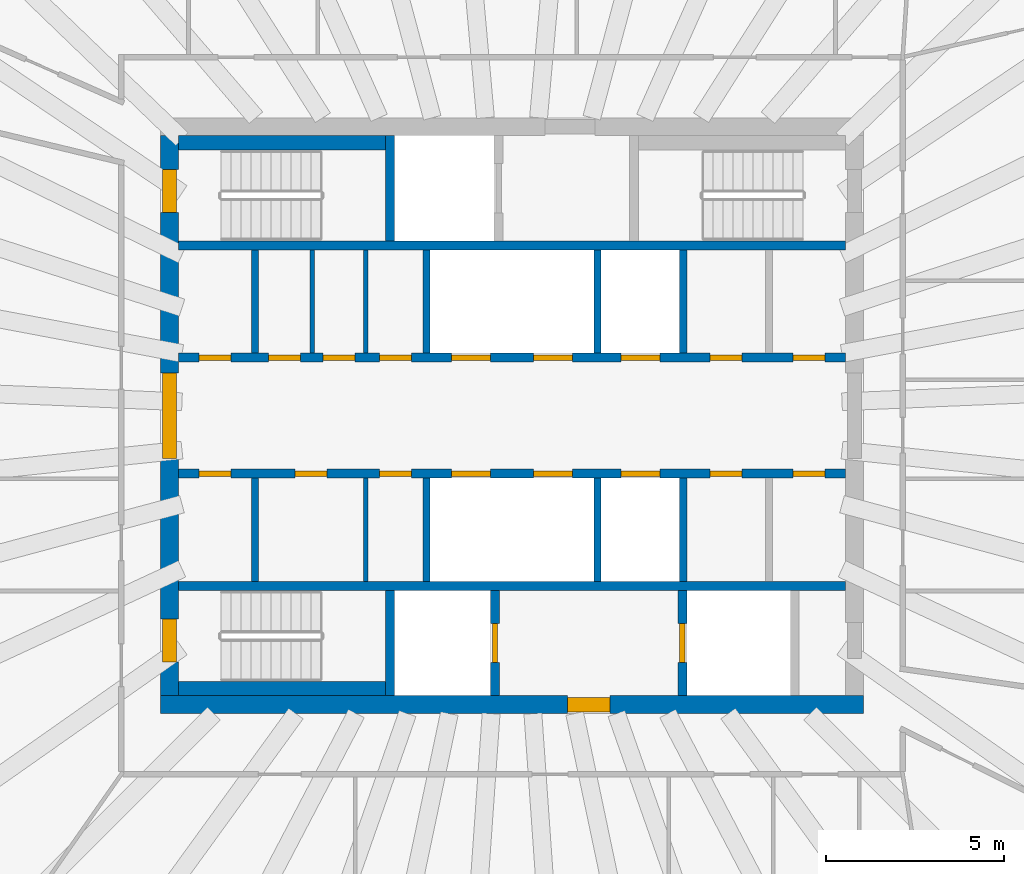
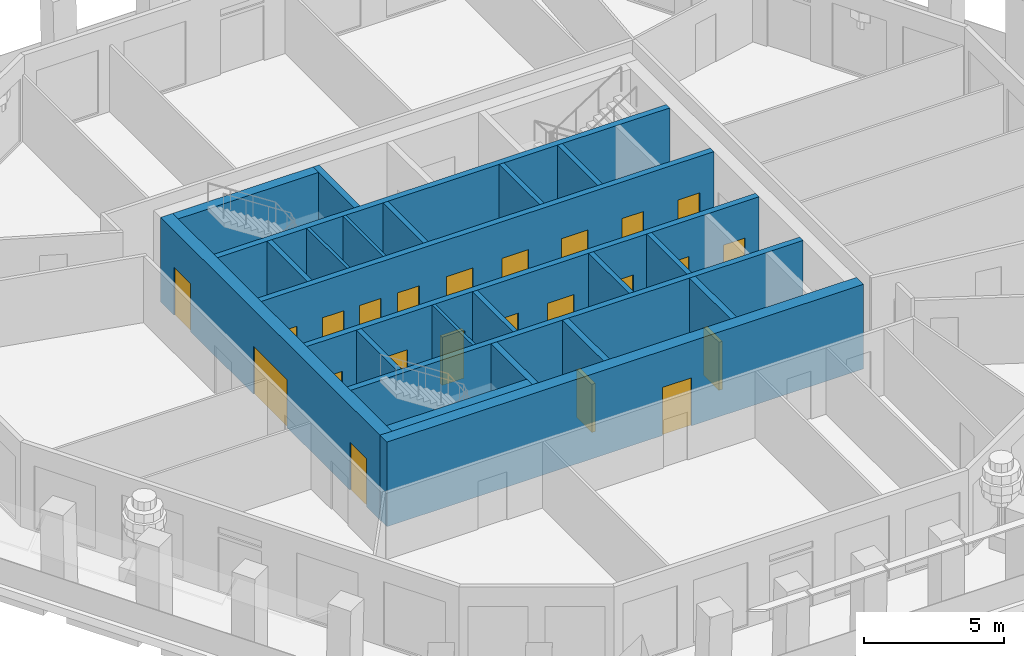
# One storey, part 4 of 11: 23 doors, 23 walls, 23 openings.
"""IFC4 building model written with IfcOpenShell, lengths in metres."""

from ifc_helpers import new_model, si_unit, direction, frame, frame_2d, origin, place, context, subcontext, project, spatial, rectangle, extrude, material, layer, layer_set, type_object, element, fill, save


model = new_model("IFC4")

# Units and contexts
model_context = context("Model", 3, precision=1e-05, world=origin(), true_north=direction((0.0, 1.0)))
body_context = subcontext(model_context, "Body", "Model", "MODEL_VIEW")
ifc_project = project(units=[si_unit("LENGTHUNIT", "METRE"), si_unit("AREAUNIT", "SQUARE_METRE"), si_unit("VOLUMEUNIT", "CUBIC_METRE"), si_unit("PLANEANGLEUNIT", "RADIAN"), si_unit("MASSUNIT", "GRAM", prefix="KILO")], contexts=[model_context])

# Site, building, storey
site_placement = place(None, origin())
site = spatial("IfcSite", under=ifc_project, at=site_placement, CompositionType="ELEMENT")
building_placement = place(site_placement, origin())
building = spatial("IfcBuilding", under=site, at=building_placement, Name="Frailejon Research Tower", CompositionType="ELEMENT")
storey_placement = place(building_placement, frame((0.0, 0.0, 295.0)))
storey = spatial("IfcBuildingStorey", under=building, at=storey_placement, Name="L65", CompositionType="ELEMENT", Elevation=295.0)

# Walls
ifc_material_1 = material(Name="Plasterboard on steel studs", Category="steel")
ifc_layer_1 = layer(ifc_material_1, 0.125)
ifc_layer_set_1 = layer_set([ifc_layer_1], Name="Core partition 125")
wall_type_1 = type_object("IfcWallType", Name="Core partition 125", PredefinedType="PARTITIONING", material=ifc_layer_set_1)
for number, where, z_axis, x_axis, name in (
    (1, (-5.60009765625, 1.75, 0.0), (0.0, 0.0, 1.0), (0.0, 1.0, 0.0), "Core partition"),
    (2, (-4.10009765625, 1.75, 0.0), (0.0, 0.0, 1.0), (0.0, 1.0, 0.0), "Core partition"),
    (3, (-4.10009765625, -4.64990234375, 0.0), (0.0, 0.0, 1.0), (0.0, 1.0, 0.0), "Core partition"),
):
    element("IfcWall", number, at=place(storey_placement, frame(where, z_axis=z_axis, x_axis=x_axis)), inside=storey, type_object=wall_type_1, Name=name, PredefinedType="PARTITIONING", context=body_context, shape_type="SweptSolid", body=[
        extrude(rectangle(XDim=2.89990234375, YDim=0.125, at=frame_2d((1.449951171875, 0.0))), origin(), (0.0, 0.0, 1.0), 3.699951171875),
    ])

# Wall, opening, door
ifc_material_2 = material(Name="Concrete C50/60", Category="concrete")
ifc_layer_2 = layer(ifc_material_2, 0.5)
ifc_layer_set_2 = layer_set([ifc_layer_2], Name="Core shear wall 500 C50/60")
wall_type_2 = type_object("IfcWallType", Name="Core shear wall 500 C50/60", PredefinedType="SHEAR", material=ifc_layer_set_2)
wall_1_placement = place(storey_placement, frame((-9.85009765625, -8.10009765625, 0.0), z_axis=(0.0, 0.0, 1.0), x_axis=(1.0, 0.0, 0.0)))
wall_1 = element("IfcWall", 4, at=wall_1_placement, inside=storey, type_object=wall_type_2, Name="Core shear wall", PredefinedType="SHEAR", context=body_context, shape_type="SweptSolid", body=[
    extrude(rectangle(XDim=19.7001953125, YDim=0.5, at=frame_2d((9.85009765625, 0.0))), origin(), (0.0, 0.0, 1.0), 3.699951171875),
])
opening_1_placement = place(wall_1_placement, frame((11.39990234375, 0.0, 0.0)))
opening_1 = element("IfcOpeningElement", 5, at=opening_1_placement, cuts=wall_1, Name="Opening D3", PredefinedType="OPENING", context=body_context, shape_type="SweptSolid", body=[
    extrude(rectangle(XDim=1.199951171875, YDim=2.10009765625, at=frame_2d((0.60009765625, 1.050048828125))), frame((0.0, 0.260009765625, 0.0), z_axis=(0.0, -1.0, 0.0), x_axis=(1.0, 0.0, 0.0)), (0.0, 0.0, 1.0), 0.52001953125),
])
ifc_material_3 = material(Name="Steel", Category="steel")
door_type_1 = type_object("IfcDoorType", Name="Firefighting lobby door", OperationType="SINGLE_SWING_LEFT", PredefinedType="DOOR", material=ifc_material_3)
door_1_placement = place(opening_1_placement, origin())
door_1 = element("IfcDoor", 6, at=door_1_placement, inside=storey, type_object=door_type_1, Name="Firefighting lobby door", OperationType="SINGLE_SWING_LEFT", OverallHeight=2.10009765625, OverallWidth=1.199951171875, PredefinedType="DOOR", context=body_context, shape_type="SweptSolid", body=[
    extrude(rectangle(XDim=1.199951171875, YDim=2.10009765625, at=frame_2d((0.60009765625, 1.050048828125))), frame((0.0, 0.199951171875, 0.0), z_axis=(0.0, -1.0, 0.0), x_axis=(1.0, 0.0, 0.0)), (0.0, 0.0, 1.0), 0.39990234375),
])
fill(opening_1, door_1)

# Wall, openings, doors
wall_2_placement = place(storey_placement, frame((-9.60009765625, -7.85009765625, 0.0), z_axis=(0.0, 0.0, 1.0), x_axis=(0.0, 1.0, 0.0)))
wall_2 = element("IfcWall", 7, at=wall_2_placement, inside=storey, type_object=wall_type_2, Name="Core shear wall", PredefinedType="SHEAR", context=body_context, shape_type="SweptSolid", body=[
    extrude(rectangle(XDim=15.7001953125, YDim=0.5, at=frame_2d((7.85009765625, 0.0))), origin(), (0.0, 0.0, 1.0), 3.699951171875),
])
opening_2_placement = place(wall_2_placement, frame((6.64990234375, 0.0, 0.0)))
opening_2 = element("IfcOpeningElement", 8, at=opening_2_placement, cuts=wall_2, Name="Opening D2", PredefinedType="OPENING", context=body_context, shape_type="SweptSolid", body=[
    extrude(rectangle(XDim=2.39990234375, YDim=2.10009765625, at=frame_2d((1.199951171875, 1.050048828125))), frame((0.0, 0.260009765625, 0.0), z_axis=(0.0, -1.0, 0.0), x_axis=(1.0, 0.0, 0.0)), (0.0, 0.0, 1.0), 0.52001953125),
])
opening_3_placement = place(wall_2_placement, frame((13.550048828125, 0.0, 0.0)))
opening_3 = element("IfcOpeningElement", 9, at=opening_3_placement, cuts=wall_2, Name="Opening D1", PredefinedType="OPENING", context=body_context, shape_type="SweptSolid", body=[
    extrude(rectangle(XDim=1.199951171875, YDim=2.10009765625, at=frame_2d((0.60009765625, 1.050048828125))), frame((0.0, 0.260009765625, 0.0), z_axis=(0.0, -1.0, 0.0), x_axis=(1.0, 0.0, 0.0)), (0.0, 0.0, 1.0), 0.52001953125),
])
opening_4_placement = place(wall_2_placement, frame((0.949951171875, 0.0, 0.0)))
opening_4 = element("IfcOpeningElement", 10, at=opening_4_placement, cuts=wall_2, Name="Opening D1", PredefinedType="OPENING", context=body_context, shape_type="SweptSolid", body=[
    extrude(rectangle(XDim=1.199951171875, YDim=2.10009765625, at=frame_2d((0.60009765625, 1.050048828125))), frame((0.0, 0.260009765625, 0.0), z_axis=(0.0, -1.0, 0.0), x_axis=(1.0, 0.0, 0.0)), (0.0, 0.0, 1.0), 0.52001953125),
])
ifc_material_4 = material(Name="Steel", Category="steel")
door_type_2 = type_object("IfcDoorType", Name="Lobby double door", OperationType="DOUBLE_DOOR_SINGLE_SWING", PredefinedType="DOOR", material=ifc_material_4)
door_2_placement = place(opening_2_placement, origin())
door_2 = element("IfcDoor", 11, at=door_2_placement, inside=storey, type_object=door_type_2, Name="Lobby door", OperationType="DOUBLE_DOOR_SINGLE_SWING", OverallHeight=2.10009765625, OverallWidth=2.39990234375, PredefinedType="DOOR", context=body_context, shape_type="SweptSolid", body=[
    extrude(rectangle(XDim=2.39990234375, YDim=2.10009765625, at=frame_2d((1.199951171875, 1.050048828125))), frame((0.0, 0.199951171875, 0.0), z_axis=(0.0, -1.0, 0.0), x_axis=(1.0, 0.0, 0.0)), (0.0, 0.0, 1.0), 0.39990234375),
])
fill(opening_2, door_2)
ifc_material_5 = material(Name="Steel", Category="steel")
door_type_3 = type_object("IfcDoorType", Name="Stair door", OperationType="SINGLE_SWING_LEFT", PredefinedType="DOOR", material=ifc_material_5)
door_3_placement = place(opening_3_placement, origin())
door_3 = element("IfcDoor", 12, at=door_3_placement, inside=storey, type_object=door_type_3, Name="Stair door ST1", OperationType="SINGLE_SWING_RIGHT", OverallHeight=2.10009765625, OverallWidth=1.199951171875, PredefinedType="DOOR", context=body_context, shape_type="SweptSolid", body=[
    extrude(rectangle(XDim=1.199951171875, YDim=2.10009765625, at=frame_2d((0.60009765625, 1.050048828125))), frame((0.0, 0.199951171875, 0.0), z_axis=(0.0, -1.0, 0.0), x_axis=(1.0, 0.0, 0.0)), (0.0, 0.0, 1.0), 0.39990234375),
])
fill(opening_3, door_3)
door_4_placement = place(opening_4_placement, origin())
door_4 = element("IfcDoor", 13, at=door_4_placement, inside=storey, type_object=door_type_3, Name="Stair door ST2", OperationType="SINGLE_SWING_LEFT", OverallHeight=2.10009765625, OverallWidth=1.199951171875, PredefinedType="DOOR", context=body_context, shape_type="SweptSolid", body=[
    extrude(rectangle(XDim=1.199951171875, YDim=2.10009765625, at=frame_2d((0.60009765625, 1.050048828125))), frame((0.0, 0.199951171875, 0.0), z_axis=(0.0, -1.0, 0.0), x_axis=(1.0, 0.0, 0.0)), (0.0, 0.0, 1.0), 0.39990234375),
])
fill(opening_4, door_4)

# Walls
ifc_material_6 = material(Name="Concrete C50/60", Category="concrete")
ifc_layer_3 = layer(ifc_material_6, 0.199951171875)
ifc_layer_set_3 = layer_set([ifc_layer_3], Name="Shaft wall 200 C50/60")
wall_type_3 = type_object("IfcWallType", Name="Shaft wall 200 C50/60", PredefinedType="SOLIDWALL", material=ifc_layer_set_3)
for number, where, z_axis, x_axis, name in (
    (14, (-7.199951171875, 1.75, 0.0), (0.0, 0.0, 1.0), (0.0, 1.0, 0.0), "Shaft wall"),
    (15, (-2.39990234375, 1.75, 0.0), (0.0, 0.0, 1.0), (0.0, 1.0, 0.0), "Shaft wall"),
    (16, (2.39990234375, 1.75, 0.0), (0.0, 0.0, 1.0), (0.0, 1.0, 0.0), "Shaft wall"),
    (17, (4.800048828125, 1.75, 0.0), (0.0, 0.0, 1.0), (0.0, 1.0, 0.0), "Shaft wall"),
    (18, (-7.199951171875, -4.64990234375, 0.0), (0.0, 0.0, 1.0), (0.0, 1.0, 0.0), "Shaft wall"),
    (19, (-2.39990234375, -4.64990234375, 0.0), (0.0, 0.0, 1.0), (0.0, 1.0, 0.0), "Shaft wall"),
    (20, (2.39990234375, -4.64990234375, 0.0), (0.0, 0.0, 1.0), (0.0, 1.0, 0.0), "Shaft wall"),
    (21, (4.800048828125, -4.64990234375, 0.0), (0.0, 0.0, 1.0), (0.0, 1.0, 0.0), "Shaft wall"),
):
    element("IfcWall", number, at=place(storey_placement, frame(where, z_axis=z_axis, x_axis=x_axis)), inside=storey, type_object=wall_type_3, Name=name, PredefinedType="SOLIDWALL", context=body_context, shape_type="SweptSolid", body=[
        extrude(rectangle(XDim=2.89990234375, YDim=0.199951171875, at=frame_2d((1.449951171875, 0.0))), origin(), (0.0, 0.0, 1.0), 3.699951171875),
    ])

# Wall, openings, doors
ifc_material_7 = material(Name="Concrete C50/60", Category="concrete")
ifc_layer_4 = layer(ifc_material_7, 0.25)
ifc_layer_set_4 = layer_set([ifc_layer_4], Name="Shaft wall 250 C50/60")
wall_type_4 = type_object("IfcWallType", Name="Shaft wall 250 C50/60", PredefinedType="SOLIDWALL", material=ifc_layer_set_4)
wall_3_placement = place(storey_placement, frame((-9.35009765625, 1.625, 0.0), z_axis=(0.0, 0.0, 1.0), x_axis=(1.0, 0.0, 0.0)))
wall_3 = element("IfcWall", 22, at=wall_3_placement, inside=storey, type_object=wall_type_4, Name="Shaft wall", PredefinedType="SOLIDWALL", context=body_context, shape_type="SweptSolid", body=[
    extrude(rectangle(XDim=18.7001953125, YDim=0.25, at=frame_2d((9.35009765625, 0.0))), origin(), (0.0, 0.0, 1.0), 3.699951171875),
])
opening_5_placement = place(wall_3_placement, frame((7.64990234375, 0.0, 0.0)))
opening_5 = element("IfcOpeningElement", 23, at=opening_5_placement, cuts=wall_3, Name="Opening LD", PredefinedType="OPENING", context=body_context, shape_type="SweptSolid", body=[
    extrude(rectangle(XDim=1.10009765625, YDim=2.10009765625, at=frame_2d((0.550048828125, 1.050048828125))), frame((0.0, 0.135009765625, 0.0), z_axis=(0.0, -1.0, 0.0), x_axis=(1.0, 0.0, 0.0)), (0.0, 0.0, 1.0), 0.27001953125),
])
opening_6_placement = place(wall_3_placement, frame((9.949951171875, 0.0, 0.0)))
opening_6 = element("IfcOpeningElement", 24, at=opening_6_placement, cuts=wall_3, Name="Opening LD", PredefinedType="OPENING", context=body_context, shape_type="SweptSolid", body=[
    extrude(rectangle(XDim=1.10009765625, YDim=2.10009765625, at=frame_2d((0.550048828125, 1.050048828125))), frame((0.0, 0.135009765625, 0.0), z_axis=(0.0, -1.0, 0.0), x_axis=(1.0, 0.0, 0.0)), (0.0, 0.0, 1.0), 0.27001953125),
])
opening_7_placement = place(wall_3_placement, frame((12.39990234375, 0.0, 0.0)))
opening_7 = element("IfcOpeningElement", 25, at=opening_7_placement, cuts=wall_3, Name="Opening LD", PredefinedType="OPENING", context=body_context, shape_type="SweptSolid", body=[
    extrude(rectangle(XDim=1.10009765625, YDim=2.10009765625, at=frame_2d((0.550048828125, 1.050048828125))), frame((0.0, 0.135009765625, 0.0), z_axis=(0.0, -1.0, 0.0), x_axis=(1.0, 0.0, 0.0)), (0.0, 0.0, 1.0), 0.27001953125),
])
opening_8_placement = place(wall_3_placement, frame((0.574951171875, 0.0, 0.0)))
opening_8 = element("IfcOpeningElement", 26, at=opening_8_placement, cuts=wall_3, Name="Opening D8", PredefinedType="OPENING", context=body_context, shape_type="SweptSolid", body=[
    extrude(rectangle(XDim=0.89990234375, YDim=2.10009765625, at=frame_2d((0.449951171875, 1.050048828125))), frame((0.0, 0.135009765625, 0.0), z_axis=(0.0, -1.0, 0.0), x_axis=(1.0, 0.0, 0.0)), (0.0, 0.0, 1.0), 0.27001953125),
])
opening_9_placement = place(wall_3_placement, frame((2.518798828125, 0.0, 0.0)))
opening_9 = element("IfcOpeningElement", 27, at=opening_9_placement, cuts=wall_3, Name="Opening D8", PredefinedType="OPENING", context=body_context, shape_type="SweptSolid", body=[
    extrude(rectangle(XDim=0.89990234375, YDim=2.10009765625, at=frame_2d((0.449951171875, 1.050048828125))), frame((0.0, 0.135009765625, 0.0), z_axis=(0.0, -1.0, 0.0), x_axis=(1.0, 0.0, 0.0)), (0.0, 0.0, 1.0), 0.27001953125),
])
opening_10_placement = place(wall_3_placement, frame((4.050048828125, 0.0, 0.0)))
opening_10 = element("IfcOpeningElement", 28, at=opening_10_placement, cuts=wall_3, Name="Opening D8", PredefinedType="OPENING", context=body_context, shape_type="SweptSolid", body=[
    extrude(rectangle(XDim=0.89990234375, YDim=2.10009765625, at=frame_2d((0.449951171875, 1.050048828125))), frame((0.0, 0.135009765625, 0.0), z_axis=(0.0, -1.0, 0.0), x_axis=(1.0, 0.0, 0.0)), (0.0, 0.0, 1.0), 0.27001953125),
])
opening_11_placement = place(wall_3_placement, frame((5.631103515625, 0.0, 0.0)))
opening_11 = element("IfcOpeningElement", 29, at=opening_11_placement, cuts=wall_3, Name="Opening D8", PredefinedType="OPENING", context=body_context, shape_type="SweptSolid", body=[
    extrude(rectangle(XDim=0.89990234375, YDim=2.10009765625, at=frame_2d((0.449951171875, 1.050048828125))), frame((0.0, 0.135009765625, 0.0), z_axis=(0.0, -1.0, 0.0), x_axis=(1.0, 0.0, 0.0)), (0.0, 0.0, 1.0), 0.27001953125),
])
opening_12_placement = place(wall_3_placement, frame((14.89990234375, 0.0, 0.0)))
opening_12 = element("IfcOpeningElement", 30, at=opening_12_placement, cuts=wall_3, Name="Opening D8", PredefinedType="OPENING", context=body_context, shape_type="SweptSolid", body=[
    extrude(rectangle(XDim=0.89990234375, YDim=2.10009765625, at=frame_2d((0.449951171875, 1.050048828125))), frame((0.0, 0.135009765625, 0.0), z_axis=(0.0, -1.0, 0.0), x_axis=(1.0, 0.0, 0.0)), (0.0, 0.0, 1.0), 0.27001953125),
])
opening_13_placement = place(wall_3_placement, frame((17.22509765625, 0.0, 0.0)))
opening_13 = element("IfcOpeningElement", 31, at=opening_13_placement, cuts=wall_3, Name="Opening D8", PredefinedType="OPENING", context=body_context, shape_type="SweptSolid", body=[
    extrude(rectangle(XDim=0.89990234375, YDim=2.10009765625, at=frame_2d((0.449951171875, 1.050048828125))), frame((0.0, 0.135009765625, 0.0), z_axis=(0.0, -1.0, 0.0), x_axis=(1.0, 0.0, 0.0)), (0.0, 0.0, 1.0), 0.27001953125),
])
ifc_material_8 = material(Name="Steel", Category="steel")
door_type_4 = type_object("IfcDoorType", Name="Core room door", OperationType="SINGLE_SWING_LEFT", PredefinedType="DOOR", material=ifc_material_8)
door_5_placement = place(opening_8_placement, origin())
door_5 = element("IfcDoor", 32, at=door_5_placement, inside=storey, type_object=door_type_4, Name="Room door", OperationType="SINGLE_SWING_RIGHT", OverallHeight=2.10009765625, OverallWidth=0.89990234375, PredefinedType="DOOR", context=body_context, shape_type="SweptSolid", body=[
    extrude(rectangle(XDim=0.89990234375, YDim=2.10009765625, at=frame_2d((0.449951171875, 1.050048828125))), frame((0.0, 0.074951171875, 0.0), z_axis=(0.0, -1.0, 0.0), x_axis=(1.0, 0.0, 0.0)), (0.0, 0.0, 1.0), 0.14990234375),
])
fill(opening_8, door_5)
door_6_placement = place(opening_9_placement, origin())
door_6 = element("IfcDoor", 33, at=door_6_placement, inside=storey, type_object=door_type_4, Name="Room door", OperationType="SINGLE_SWING_LEFT", OverallHeight=2.10009765625, OverallWidth=0.89990234375, PredefinedType="DOOR", context=body_context, shape_type="SweptSolid", body=[
    extrude(rectangle(XDim=0.89990234375, YDim=2.10009765625, at=frame_2d((0.449951171875, 1.050048828125))), frame((0.0, 0.074951171875, 0.0), z_axis=(0.0, -1.0, 0.0), x_axis=(1.0, 0.0, 0.0)), (0.0, 0.0, 1.0), 0.14990234375),
])
fill(opening_9, door_6)
door_7_placement = place(opening_10_placement, origin())
door_7 = element("IfcDoor", 34, at=door_7_placement, inside=storey, type_object=door_type_4, Name="Room door", OperationType="SINGLE_SWING_RIGHT", OverallHeight=2.10009765625, OverallWidth=0.89990234375, PredefinedType="DOOR", context=body_context, shape_type="SweptSolid", body=[
    extrude(rectangle(XDim=0.89990234375, YDim=2.10009765625, at=frame_2d((0.449951171875, 1.050048828125))), frame((0.0, 0.074951171875, 0.0), z_axis=(0.0, -1.0, 0.0), x_axis=(1.0, 0.0, 0.0)), (0.0, 0.0, 1.0), 0.14990234375),
])
fill(opening_10, door_7)
door_8_placement = place(opening_11_placement, origin())
door_8 = element("IfcDoor", 35, at=door_8_placement, inside=storey, type_object=door_type_4, Name="Room door", OperationType="SINGLE_SWING_LEFT", OverallHeight=2.10009765625, OverallWidth=0.89990234375, PredefinedType="DOOR", context=body_context, shape_type="SweptSolid", body=[
    extrude(rectangle(XDim=0.89990234375, YDim=2.10009765625, at=frame_2d((0.449951171875, 1.050048828125))), frame((0.0, 0.074951171875, 0.0), z_axis=(0.0, -1.0, 0.0), x_axis=(1.0, 0.0, 0.0)), (0.0, 0.0, 1.0), 0.14990234375),
])
fill(opening_11, door_8)
door_9_placement = place(opening_12_placement, origin())
door_9 = element("IfcDoor", 36, at=door_9_placement, inside=storey, type_object=door_type_4, Name="Room door", OperationType="SINGLE_SWING_RIGHT", OverallHeight=2.10009765625, OverallWidth=0.89990234375, PredefinedType="DOOR", context=body_context, shape_type="SweptSolid", body=[
    extrude(rectangle(XDim=0.89990234375, YDim=2.10009765625, at=frame_2d((0.449951171875, 1.050048828125))), frame((0.0, 0.074951171875, 0.0), z_axis=(0.0, -1.0, 0.0), x_axis=(1.0, 0.0, 0.0)), (0.0, 0.0, 1.0), 0.14990234375),
])
fill(opening_12, door_9)
door_10_placement = place(opening_13_placement, origin())
door_10 = element("IfcDoor", 37, at=door_10_placement, inside=storey, type_object=door_type_4, Name="Room door", OperationType="SINGLE_SWING_LEFT", OverallHeight=2.10009765625, OverallWidth=0.89990234375, PredefinedType="DOOR", context=body_context, shape_type="SweptSolid", body=[
    extrude(rectangle(XDim=0.89990234375, YDim=2.10009765625, at=frame_2d((0.449951171875, 1.050048828125))), frame((0.0, 0.074951171875, 0.0), z_axis=(0.0, -1.0, 0.0), x_axis=(1.0, 0.0, 0.0)), (0.0, 0.0, 1.0), 0.14990234375),
])
fill(opening_13, door_10)
ifc_material_9 = material(Name="Steel", Category="steel")
door_type_5 = type_object("IfcDoorType", Name="Lift landing door", OperationType="DOUBLE_DOOR_SLIDING", PredefinedType="DOOR", material=ifc_material_9)
door_11_placement = place(opening_5_placement, origin())
door_11 = element("IfcDoor", 38, at=door_11_placement, inside=storey, type_object=door_type_5, Name="Lift landing door", OperationType="DOUBLE_DOOR_SLIDING", OverallHeight=2.10009765625, OverallWidth=1.10009765625, PredefinedType="DOOR", context=body_context, shape_type="SweptSolid", body=[
    extrude(rectangle(XDim=1.10009765625, YDim=2.10009765625, at=frame_2d((0.550048828125, 1.050048828125))), frame((0.0, 0.074951171875, 0.0), z_axis=(0.0, -1.0, 0.0), x_axis=(1.0, 0.0, 0.0)), (0.0, 0.0, 1.0), 0.14990234375),
])
fill(opening_5, door_11)
door_12_placement = place(opening_6_placement, origin())
door_12 = element("IfcDoor", 39, at=door_12_placement, inside=storey, type_object=door_type_5, Name="Lift landing door", OperationType="DOUBLE_DOOR_SLIDING", OverallHeight=2.10009765625, OverallWidth=1.10009765625, PredefinedType="DOOR", context=body_context, shape_type="SweptSolid", body=[
    extrude(rectangle(XDim=1.10009765625, YDim=2.10009765625, at=frame_2d((0.550048828125, 1.050048828125))), frame((0.0, 0.074951171875, 0.0), z_axis=(0.0, -1.0, 0.0), x_axis=(1.0, 0.0, 0.0)), (0.0, 0.0, 1.0), 0.14990234375),
])
fill(opening_6, door_12)
door_13_placement = place(opening_7_placement, origin())
door_13 = element("IfcDoor", 40, at=door_13_placement, inside=storey, type_object=door_type_5, Name="Lift landing door", OperationType="DOUBLE_DOOR_SLIDING", OverallHeight=2.10009765625, OverallWidth=1.10009765625, PredefinedType="DOOR", context=body_context, shape_type="SweptSolid", body=[
    extrude(rectangle(XDim=1.10009765625, YDim=2.10009765625, at=frame_2d((0.550048828125, 1.050048828125))), frame((0.0, 0.074951171875, 0.0), z_axis=(0.0, -1.0, 0.0), x_axis=(1.0, 0.0, 0.0)), (0.0, 0.0, 1.0), 0.14990234375),
])
fill(opening_7, door_13)

# Wall
wall_4_placement = place(storey_placement, frame((-9.35009765625, 4.77490234375, 0.0), z_axis=(0.0, 0.0, 1.0), x_axis=(1.0, 0.0, 0.0)))
element("IfcWall", 41, at=wall_4_placement, inside=storey, type_object=wall_type_4, Name="Shaft wall", PredefinedType="SOLIDWALL", context=body_context, shape_type="SweptSolid", body=[
    extrude(rectangle(XDim=18.7001953125, YDim=0.25, at=frame_2d((9.35009765625, 0.0))), origin(), (0.0, 0.0, 1.0), 3.699951171875),
])

# Wall, openings, doors
wall_5_placement = place(storey_placement, frame((-9.35009765625, -1.625, 0.0), z_axis=(0.0, 0.0, 1.0), x_axis=(1.0, 0.0, 0.0)))
wall_5 = element("IfcWall", 42, at=wall_5_placement, inside=storey, type_object=wall_type_4, Name="Shaft wall", PredefinedType="SOLIDWALL", context=body_context, shape_type="SweptSolid", body=[
    extrude(rectangle(XDim=18.7001953125, YDim=0.25, at=frame_2d((9.35009765625, 0.0))), origin(), (0.0, 0.0, 1.0), 3.699951171875),
])
opening_14_placement = place(wall_5_placement, frame((7.64990234375, 0.0, 0.0)))
opening_14 = element("IfcOpeningElement", 43, at=opening_14_placement, cuts=wall_5, Name="Opening LD", PredefinedType="OPENING", context=body_context, shape_type="SweptSolid", body=[
    extrude(rectangle(XDim=1.10009765625, YDim=2.10009765625, at=frame_2d((0.550048828125, 1.050048828125))), frame((0.0, 0.135009765625, 0.0), z_axis=(0.0, -1.0, 0.0), x_axis=(1.0, 0.0, 0.0)), (0.0, 0.0, 1.0), 0.27001953125),
])
opening_15_placement = place(wall_5_placement, frame((9.949951171875, 0.0, 0.0)))
opening_15 = element("IfcOpeningElement", 44, at=opening_15_placement, cuts=wall_5, Name="Opening LD", PredefinedType="OPENING", context=body_context, shape_type="SweptSolid", body=[
    extrude(rectangle(XDim=1.10009765625, YDim=2.10009765625, at=frame_2d((0.550048828125, 1.050048828125))), frame((0.0, 0.135009765625, 0.0), z_axis=(0.0, -1.0, 0.0), x_axis=(1.0, 0.0, 0.0)), (0.0, 0.0, 1.0), 0.27001953125),
])
opening_16_placement = place(wall_5_placement, frame((12.39990234375, 0.0, 0.0)))
opening_16 = element("IfcOpeningElement", 45, at=opening_16_placement, cuts=wall_5, Name="Opening LD", PredefinedType="OPENING", context=body_context, shape_type="SweptSolid", body=[
    extrude(rectangle(XDim=1.10009765625, YDim=2.10009765625, at=frame_2d((0.550048828125, 1.050048828125))), frame((0.0, 0.135009765625, 0.0), z_axis=(0.0, -1.0, 0.0), x_axis=(1.0, 0.0, 0.0)), (0.0, 0.0, 1.0), 0.27001953125),
])
opening_17_placement = place(wall_5_placement, frame((0.574951171875, 0.0, 0.0)))
opening_17 = element("IfcOpeningElement", 46, at=opening_17_placement, cuts=wall_5, Name="Opening D8", PredefinedType="OPENING", context=body_context, shape_type="SweptSolid", body=[
    extrude(rectangle(XDim=0.89990234375, YDim=2.10009765625, at=frame_2d((0.449951171875, 1.050048828125))), frame((0.0, 0.135009765625, 0.0), z_axis=(0.0, -1.0, 0.0), x_axis=(1.0, 0.0, 0.0)), (0.0, 0.0, 1.0), 0.27001953125),
])
opening_18_placement = place(wall_5_placement, frame((3.268798828125, 0.0, 0.0)))
opening_18 = element("IfcOpeningElement", 47, at=opening_18_placement, cuts=wall_5, Name="Opening D8", PredefinedType="OPENING", context=body_context, shape_type="SweptSolid", body=[
    extrude(rectangle(XDim=0.89990234375, YDim=2.10009765625, at=frame_2d((0.449951171875, 1.050048828125))), frame((0.0, 0.135009765625, 0.0), z_axis=(0.0, -1.0, 0.0), x_axis=(1.0, 0.0, 0.0)), (0.0, 0.0, 1.0), 0.27001953125),
])
opening_19_placement = place(wall_5_placement, frame((5.631103515625, 0.0, 0.0)))
opening_19 = element("IfcOpeningElement", 48, at=opening_19_placement, cuts=wall_5, Name="Opening D8", PredefinedType="OPENING", context=body_context, shape_type="SweptSolid", body=[
    extrude(rectangle(XDim=0.89990234375, YDim=2.10009765625, at=frame_2d((0.449951171875, 1.050048828125))), frame((0.0, 0.135009765625, 0.0), z_axis=(0.0, -1.0, 0.0), x_axis=(1.0, 0.0, 0.0)), (0.0, 0.0, 1.0), 0.27001953125),
])
opening_20_placement = place(wall_5_placement, frame((14.89990234375, 0.0, 0.0)))
opening_20 = element("IfcOpeningElement", 49, at=opening_20_placement, cuts=wall_5, Name="Opening D8", PredefinedType="OPENING", context=body_context, shape_type="SweptSolid", body=[
    extrude(rectangle(XDim=0.89990234375, YDim=2.10009765625, at=frame_2d((0.449951171875, 1.050048828125))), frame((0.0, 0.135009765625, 0.0), z_axis=(0.0, -1.0, 0.0), x_axis=(1.0, 0.0, 0.0)), (0.0, 0.0, 1.0), 0.27001953125),
])
opening_21_placement = place(wall_5_placement, frame((17.22509765625, 0.0, 0.0)))
opening_21 = element("IfcOpeningElement", 50, at=opening_21_placement, cuts=wall_5, Name="Opening D8", PredefinedType="OPENING", context=body_context, shape_type="SweptSolid", body=[
    extrude(rectangle(XDim=0.89990234375, YDim=2.10009765625, at=frame_2d((0.449951171875, 1.050048828125))), frame((0.0, 0.135009765625, 0.0), z_axis=(0.0, -1.0, 0.0), x_axis=(1.0, 0.0, 0.0)), (0.0, 0.0, 1.0), 0.27001953125),
])
door_14_placement = place(opening_17_placement, origin())
door_14 = element("IfcDoor", 51, at=door_14_placement, inside=storey, type_object=door_type_4, Name="Room door", OperationType="SINGLE_SWING_RIGHT", OverallHeight=2.10009765625, OverallWidth=0.89990234375, PredefinedType="DOOR", context=body_context, shape_type="SweptSolid", body=[
    extrude(rectangle(XDim=0.89990234375, YDim=2.10009765625, at=frame_2d((0.449951171875, 1.050048828125))), frame((0.0, 0.074951171875, 0.0), z_axis=(0.0, -1.0, 0.0), x_axis=(1.0, 0.0, 0.0)), (0.0, 0.0, 1.0), 0.14990234375),
])
fill(opening_17, door_14)
door_15_placement = place(opening_18_placement, origin())
door_15 = element("IfcDoor", 52, at=door_15_placement, inside=storey, type_object=door_type_4, Name="Room door", OperationType="SINGLE_SWING_LEFT", OverallHeight=2.10009765625, OverallWidth=0.89990234375, PredefinedType="DOOR", context=body_context, shape_type="SweptSolid", body=[
    extrude(rectangle(XDim=0.89990234375, YDim=2.10009765625, at=frame_2d((0.449951171875, 1.050048828125))), frame((0.0, 0.074951171875, 0.0), z_axis=(0.0, -1.0, 0.0), x_axis=(1.0, 0.0, 0.0)), (0.0, 0.0, 1.0), 0.14990234375),
])
fill(opening_18, door_15)
door_16_placement = place(opening_19_placement, origin())
door_16 = element("IfcDoor", 53, at=door_16_placement, inside=storey, type_object=door_type_4, Name="Room door", OperationType="SINGLE_SWING_RIGHT", OverallHeight=2.10009765625, OverallWidth=0.89990234375, PredefinedType="DOOR", context=body_context, shape_type="SweptSolid", body=[
    extrude(rectangle(XDim=0.89990234375, YDim=2.10009765625, at=frame_2d((0.449951171875, 1.050048828125))), frame((0.0, 0.074951171875, 0.0), z_axis=(0.0, -1.0, 0.0), x_axis=(1.0, 0.0, 0.0)), (0.0, 0.0, 1.0), 0.14990234375),
])
fill(opening_19, door_16)
door_17_placement = place(opening_20_placement, origin())
door_17 = element("IfcDoor", 54, at=door_17_placement, inside=storey, type_object=door_type_4, Name="Room door", OperationType="SINGLE_SWING_LEFT", OverallHeight=2.10009765625, OverallWidth=0.89990234375, PredefinedType="DOOR", context=body_context, shape_type="SweptSolid", body=[
    extrude(rectangle(XDim=0.89990234375, YDim=2.10009765625, at=frame_2d((0.449951171875, 1.050048828125))), frame((0.0, 0.074951171875, 0.0), z_axis=(0.0, -1.0, 0.0), x_axis=(1.0, 0.0, 0.0)), (0.0, 0.0, 1.0), 0.14990234375),
])
fill(opening_20, door_17)
door_18_placement = place(opening_21_placement, origin())
door_18 = element("IfcDoor", 55, at=door_18_placement, inside=storey, type_object=door_type_4, Name="Room door", OperationType="SINGLE_SWING_RIGHT", OverallHeight=2.10009765625, OverallWidth=0.89990234375, PredefinedType="DOOR", context=body_context, shape_type="SweptSolid", body=[
    extrude(rectangle(XDim=0.89990234375, YDim=2.10009765625, at=frame_2d((0.449951171875, 1.050048828125))), frame((0.0, 0.074951171875, 0.0), z_axis=(0.0, -1.0, 0.0), x_axis=(1.0, 0.0, 0.0)), (0.0, 0.0, 1.0), 0.14990234375),
])
fill(opening_21, door_18)
door_19_placement = place(opening_14_placement, origin())
door_19 = element("IfcDoor", 56, at=door_19_placement, inside=storey, type_object=door_type_5, Name="Lift landing door", OperationType="DOUBLE_DOOR_SLIDING", OverallHeight=2.10009765625, OverallWidth=1.10009765625, PredefinedType="DOOR", context=body_context, shape_type="SweptSolid", body=[
    extrude(rectangle(XDim=1.10009765625, YDim=2.10009765625, at=frame_2d((0.550048828125, 1.050048828125))), frame((0.0, 0.074951171875, 0.0), z_axis=(0.0, -1.0, 0.0), x_axis=(1.0, 0.0, 0.0)), (0.0, 0.0, 1.0), 0.14990234375),
])
fill(opening_14, door_19)
door_20_placement = place(opening_15_placement, origin())
door_20 = element("IfcDoor", 57, at=door_20_placement, inside=storey, type_object=door_type_5, Name="Lift landing door", OperationType="DOUBLE_DOOR_SLIDING", OverallHeight=2.10009765625, OverallWidth=1.10009765625, PredefinedType="DOOR", context=body_context, shape_type="SweptSolid", body=[
    extrude(rectangle(XDim=1.10009765625, YDim=2.10009765625, at=frame_2d((0.550048828125, 1.050048828125))), frame((0.0, 0.074951171875, 0.0), z_axis=(0.0, -1.0, 0.0), x_axis=(1.0, 0.0, 0.0)), (0.0, 0.0, 1.0), 0.14990234375),
])
fill(opening_15, door_20)
door_21_placement = place(opening_16_placement, origin())
door_21 = element("IfcDoor", 58, at=door_21_placement, inside=storey, type_object=door_type_5, Name="Lift landing door", OperationType="DOUBLE_DOOR_SLIDING", OverallHeight=2.10009765625, OverallWidth=1.10009765625, PredefinedType="DOOR", context=body_context, shape_type="SweptSolid", body=[
    extrude(rectangle(XDim=1.10009765625, YDim=2.10009765625, at=frame_2d((0.550048828125, 1.050048828125))), frame((0.0, 0.074951171875, 0.0), z_axis=(0.0, -1.0, 0.0), x_axis=(1.0, 0.0, 0.0)), (0.0, 0.0, 1.0), 0.14990234375),
])
fill(opening_16, door_21)

# Walls
wall_6_placement = place(storey_placement, frame((-9.35009765625, -4.77490234375, 0.0), z_axis=(0.0, 0.0, 1.0), x_axis=(1.0, 0.0, 0.0)))
element("IfcWall", 59, at=wall_6_placement, inside=storey, type_object=wall_type_4, Name="Shaft wall", PredefinedType="SOLIDWALL", context=body_context, shape_type="SweptSolid", body=[
    extrude(rectangle(XDim=18.7001953125, YDim=0.25, at=frame_2d((9.35009765625, 0.0))), origin(), (0.0, 0.0, 1.0), 3.699951171875),
])
for number, where, z_axis, x_axis, name in (
    (60, (-3.425048828125, 4.89990234375, 0.0), (0.0, 0.0, 1.0), (0.0, 1.0, 0.0), "Shaft wall"),
    (61, (-3.425048828125, -7.85009765625, 0.0), (0.0, 0.0, 1.0), (0.0, 1.0, 0.0), "Shaft wall"),
):
    element("IfcWall", number, at=place(storey_placement, frame(where, z_axis=z_axis, x_axis=x_axis)), inside=storey, type_object=wall_type_4, Name=name, PredefinedType="SOLIDWALL", context=body_context, shape_type="SweptSolid", body=[
        extrude(rectangle(XDim=2.9501953125, YDim=0.25, at=frame_2d((1.47509765625, 0.0))), origin(), (0.0, 0.0, 1.0), 3.699951171875),
    ])

# Wall, opening, door
wall_7_placement = place(storey_placement, frame((-0.47509765625, -7.85009765625, 0.0), z_axis=(0.0, 0.0, 1.0), x_axis=(0.0, 1.0, 0.0)))
wall_7 = element("IfcWall", 62, at=wall_7_placement, inside=storey, type_object=wall_type_4, Name="Shaft wall", PredefinedType="SOLIDWALL", context=body_context, shape_type="SweptSolid", body=[
    extrude(rectangle(XDim=2.9501953125, YDim=0.25, at=frame_2d((1.47509765625, 0.0))), origin(), (0.0, 0.0, 1.0), 3.699951171875),
])
opening_22_placement = place(wall_7_placement, frame((0.925048828125, 0.0, 0.0)))
opening_22 = element("IfcOpeningElement", 63, at=opening_22_placement, cuts=wall_7, Name="Opening LD", PredefinedType="OPENING", context=body_context, shape_type="SweptSolid", body=[
    extrude(rectangle(XDim=1.10009765625, YDim=2.10009765625, at=frame_2d((0.550048828125, 1.050048828125))), frame((0.0, 0.135009765625, 0.0), z_axis=(0.0, -1.0, 0.0), x_axis=(1.0, 0.0, 0.0)), (0.0, 0.0, 1.0), 0.27001953125),
])
door_22_placement = place(opening_22_placement, origin())
door_22 = element("IfcDoor", 64, at=door_22_placement, inside=storey, type_object=door_type_5, Name="Lift landing door", OperationType="DOUBLE_DOOR_SLIDING", OverallHeight=2.10009765625, OverallWidth=1.10009765625, PredefinedType="DOOR", context=body_context, shape_type="SweptSolid", body=[
    extrude(rectangle(XDim=1.10009765625, YDim=2.10009765625, at=frame_2d((0.550048828125, 1.050048828125))), frame((0.0, 0.074951171875, 0.0), z_axis=(0.0, -1.0, 0.0), x_axis=(1.0, 0.0, 0.0)), (0.0, 0.0, 1.0), 0.14990234375),
])
fill(opening_22, door_22)

wall_8_placement = place(storey_placement, frame((4.77490234375, -7.85009765625, 0.0), z_axis=(0.0, 0.0, 1.0), x_axis=(0.0, 1.0, 0.0)))
wall_8 = element("IfcWall", 65, at=wall_8_placement, inside=storey, type_object=wall_type_4, Name="Shaft wall", PredefinedType="SOLIDWALL", context=body_context, shape_type="SweptSolid", body=[
    extrude(rectangle(XDim=2.9501953125, YDim=0.25, at=frame_2d((1.47509765625, 0.0))), origin(), (0.0, 0.0, 1.0), 3.699951171875),
])
opening_23_placement = place(wall_8_placement, frame((0.925048828125, 0.0, 0.0)))
opening_23 = element("IfcOpeningElement", 66, at=opening_23_placement, cuts=wall_8, Name="Opening LD", PredefinedType="OPENING", context=body_context, shape_type="SweptSolid", body=[
    extrude(rectangle(XDim=1.10009765625, YDim=2.10009765625, at=frame_2d((0.550048828125, 1.050048828125))), frame((0.0, 0.135009765625, 0.0), z_axis=(0.0, -1.0, 0.0), x_axis=(1.0, 0.0, 0.0)), (0.0, 0.0, 1.0), 0.27001953125),
])
door_23_placement = place(opening_23_placement, origin())
door_23 = element("IfcDoor", 67, at=door_23_placement, inside=storey, type_object=door_type_5, Name="Lift landing door", OperationType="DOUBLE_DOOR_SLIDING", OverallHeight=2.10009765625, OverallWidth=1.10009765625, PredefinedType="DOOR", context=body_context, shape_type="SweptSolid", body=[
    extrude(rectangle(XDim=1.10009765625, YDim=2.10009765625, at=frame_2d((0.550048828125, 1.050048828125))), frame((0.0, 0.074951171875, 0.0), z_axis=(0.0, -1.0, 0.0), x_axis=(1.0, 0.0, 0.0)), (0.0, 0.0, 1.0), 0.14990234375),
])
fill(opening_23, door_23)

# Walls
ifc_material_10 = material(Name="Concrete C50/60", Category="concrete")
ifc_layer_5 = layer(ifc_material_10, 0.39990234375)
ifc_layer_set_5 = layer_set([ifc_layer_5], Name="Shaft wall 400 C50/60")
wall_type_5 = type_object("IfcWallType", Name="Shaft wall 400 C50/60", PredefinedType="SOLIDWALL", material=ifc_layer_set_5)
for number, where, z_axis, x_axis, name in (
    (68, (-9.35009765625, 7.64990234375, 0.0), (0.0, 0.0, 1.0), (1.0, 0.0, 0.0), "Shaft wall"),
    (69, (-9.35009765625, -7.64990234375, 0.0), (0.0, 0.0, 1.0), (1.0, 0.0, 0.0), "Shaft wall"),
):
    element("IfcWall", number, at=place(storey_placement, frame(where, z_axis=z_axis, x_axis=x_axis)), inside=storey, type_object=wall_type_5, Name=name, PredefinedType="SOLIDWALL", context=body_context, shape_type="SweptSolid", body=[
        extrude(rectangle(XDim=5.800048828125, YDim=0.39990234375, at=frame_2d((2.89990234375, 0.0))), origin(), (0.0, 0.0, 1.0), 3.699951171875),
    ])

save(model, "model.ifc")
